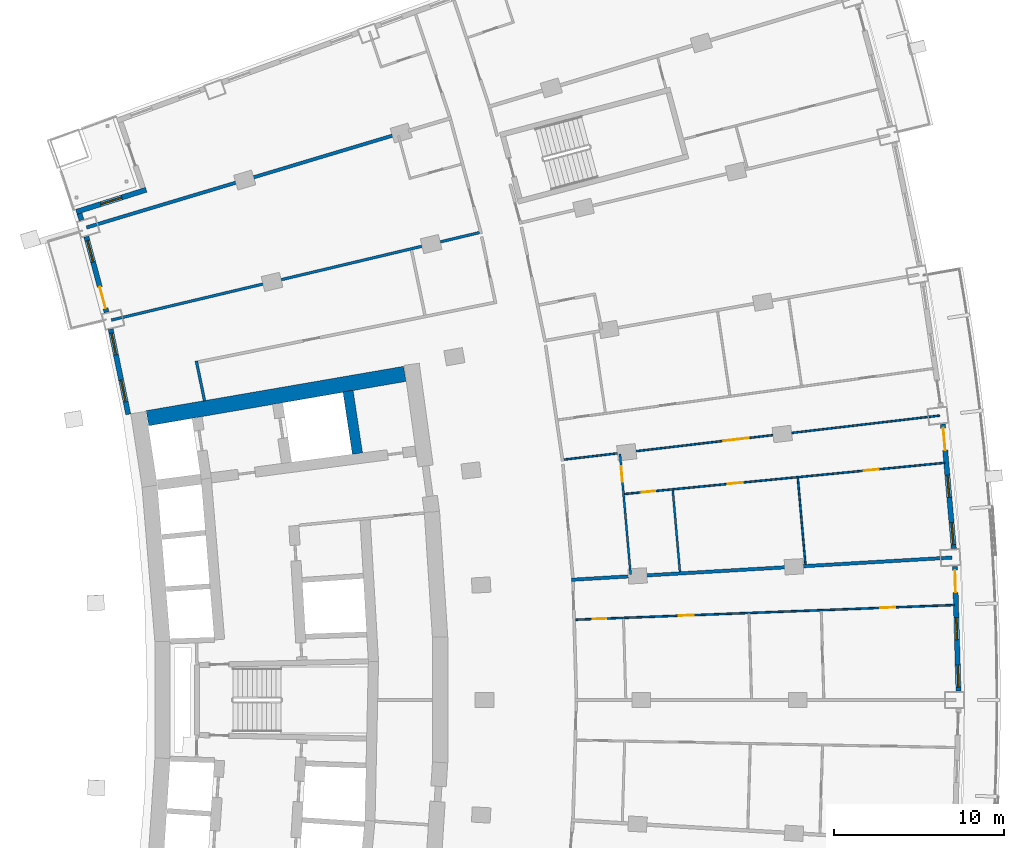
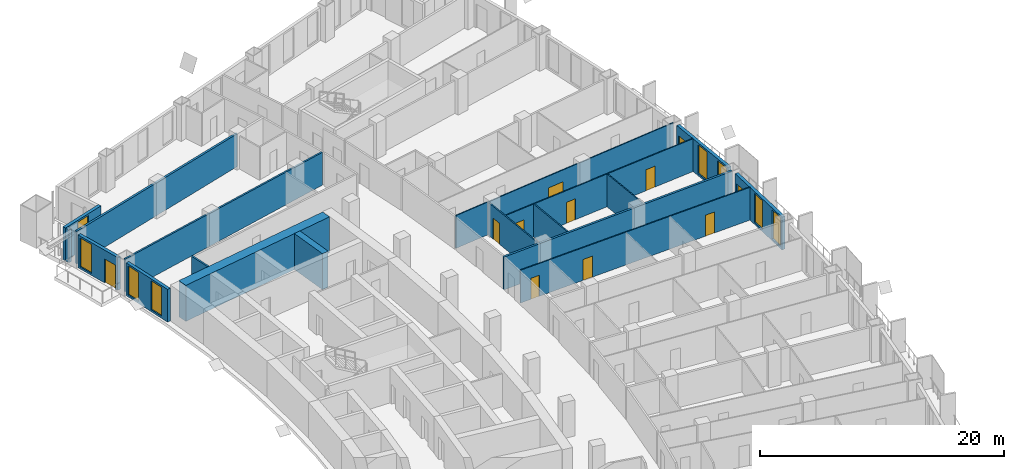
# One storey, part 18 of 24: 18 walls, 11 doors, 8 windows, 19 openings.
"""IFC4 building model written with IfcOpenShell, lengths in metres."""

import ifcopenshell
import ifcopenshell.guid

model = None  # the IFC model being written
_history = None  # IfcOwnerHistory: only IFC2X3 demands one
_inside = {}  # id of a spatial element -> (the spatial element, [elements in it])
_under = {}  # id of a project, library or spatial element -> (it, [spatial elements below it])
_declared = {}  # id of a project -> (the project, [libraries it declares])
_typed = {}  # id of a type object -> (the type object, [elements of that type])
_made_of = {}  # id of a material, layer set ... -> (it, [elements and type objects made of it])


def new_model(schema):
    """Start an empty IFC model of exactly this schema.

    Asked for "IFC4X3", IfcOpenShell would pick the latest addendum, in which some entities
    have other attributes; the version numbers below select the first issue.
    IFC2X3 requires an IfcOwnerHistory on every rooted entity: one is made here for all.
    """
    global model, _history
    if schema == "IFC4X3":
        model = ifcopenshell.file(schema_version=(4, 3, 0, 0))
    else:
        model = ifcopenshell.file(schema=schema)
    _inside.clear()
    _under.clear()
    _declared.clear()
    _typed.clear()
    _made_of.clear()
    _history = None
    if model.schema == "IFC2X3":
        org = make("IfcOrganization", Name="unknown")
        user = make(
            "IfcPersonAndOrganization",
            ThePerson=make("IfcPerson", FamilyName="unknown"),
            TheOrganization=org,
        )
        app = make(
            "IfcApplication",
            ApplicationDeveloper=org,
            Version="unknown",
            ApplicationFullName="unknown",
            ApplicationIdentifier="unknown",
        )
        _history = make(
            "IfcOwnerHistory",
            OwningUser=user,
            OwningApplication=app,
            ChangeAction="ADDED",
            CreationDate=0,
        )
    return model


def make(cls, **values):
    """One entity of the class cls with the attributes given. An attribute that is None is left unset."""
    return model.create_entity(
        cls, **{name: value for name, value in values.items() if value is not None}
    )


def rooted(cls, **values):
    """An entity with a GlobalId (a new one), such as an element, a storey or a relation."""
    return make(cls, GlobalId=ifcopenshell.guid.new(), OwnerHistory=_history, **values)


def si_unit(unit_type, name, prefix=None):
    """IfcSIUnit, for example si_unit("LENGTHUNIT", "METRE", prefix="MILLI")."""
    return make("IfcSIUnit", UnitType=unit_type, Prefix=prefix, Name=name)


def assignment(units):
    """IfcUnitAssignment: the units of a project."""
    return None if units is None else make("IfcUnitAssignment", Units=units)


def point(xyz):
    """IfcCartesianPoint."""
    return None if xyz is None else make("IfcCartesianPoint", Coordinates=xyz)


def direction(xyz):
    """IfcDirection."""
    return None if xyz is None else make("IfcDirection", DirectionRatios=xyz)


def frame(location, z_axis=None, x_axis=None):
    """IfcAxis2Placement3D, a coordinate frame: its origin and axes. An axis left out is left unset."""
    return make(
        "IfcAxis2Placement3D",
        Location=point(location),
        Axis=direction(z_axis),
        RefDirection=direction(x_axis),
    )


def frame_2d(location, x_axis=None):
    """IfcAxis2Placement2D, a coordinate frame in the plane: its origin and x axis."""
    return make(
        "IfcAxis2Placement2D", Location=point(location), RefDirection=direction(x_axis)
    )


def origin():
    """The frame at (0, 0, 0) with its axes left unset."""
    return frame((0.0, 0.0, 0.0))


def place(relative_to, where):
    """IfcLocalPlacement: puts the frame where relative to a parent placement (None: the world)."""
    return make(
        "IfcLocalPlacement", PlacementRelTo=relative_to, RelativePlacement=where
    )


def context(
    kind, dimensions, precision=None, world=None, true_north=None, identifier=None
):
    """IfcGeometricRepresentationContext, for example the 3D "Model" context."""
    return make(
        "IfcGeometricRepresentationContext",
        ContextIdentifier=identifier,
        ContextType=kind,
        CoordinateSpaceDimension=dimensions,
        Precision=precision,
        WorldCoordinateSystem=world,
        TrueNorth=true_north,
    )


def subcontext(parent, identifier, kind, view, scale=None):
    """IfcGeometricRepresentationSubContext, for example "Body" below "Model"."""
    return make(
        "IfcGeometricRepresentationSubContext",
        ContextIdentifier=identifier,
        ContextType=kind,
        ParentContext=parent,
        TargetScale=scale,
        TargetView=view,
    )


def project(units=None, contexts=None):
    """IfcProject with its units and contexts."""
    return rooted(
        "IfcProject",
        Name="project",
        RepresentationContexts=contexts,
        UnitsInContext=assignment(units),
    )


def spatial(cls, under=None, at=None, **own):
    """A site, building, storey or space (cls), placed at a placement, below another one or the project."""
    s = rooted(cls, ObjectPlacement=at, **own)
    if under is not None:
        _under.setdefault(under.id(), (under, []))[1].append(s)
    return s


def profile(cls, at=None, kind="AREA", **sizes):
    """A parametric profile (cls). Its sizes go by their IFC names, for example OverallWidth=200.0."""
    return make(cls, ProfileType=kind, Position=at, **sizes)


def rectangle(**sizes):
    """IfcRectangleProfileDef."""
    return profile("IfcRectangleProfileDef", **sizes)


def extrude(swept, where, along, depth):
    """IfcExtrudedAreaSolid: the profile swept, set in the frame where, extruded along a direction by depth."""
    return make(
        "IfcExtrudedAreaSolid",
        SweptArea=swept,
        Position=where,
        ExtrudedDirection=direction(along),
        Depth=depth,
    )


def shape(context_of_items, identifier, shape_type, items):
    """IfcShapeRepresentation: the items that make up one representation, for example the "Body"."""
    return make(
        "IfcShapeRepresentation",
        ContextOfItems=context_of_items,
        RepresentationIdentifier=identifier,
        RepresentationType=shape_type,
        Items=items,
    )


def material(Name=None, Category=None):
    """IfcMaterial."""
    return make("IfcMaterial", Name=Name, Category=Category)


def layer(
    of_material, thickness, ventilated=None, Name=None, Category=None, Priority=None
):
    """IfcMaterialLayer: one layer of a wall or slab, of a material (None: an air gap)."""
    return make(
        "IfcMaterialLayer",
        Material=of_material,
        LayerThickness=thickness,
        IsVentilated=ventilated,
        Name=Name,
        Category=Category,
        Priority=Priority,
    )


def layer_set(layers, Name=None):
    """IfcMaterialLayerSet."""
    return make("IfcMaterialLayerSet", MaterialLayers=layers, LayerSetName=Name)


def made_of(thing, what):
    """Note that an element or type object is made of a material, layer set ...; save() writes the relation."""
    if what is not None:
        _made_of.setdefault(what.id(), (what, []))[1].append(thing)
    return thing


def type_object(cls, material=None, **own):
    """A type object (cls), such as IfcWallType, which elements share."""
    return made_of(rooted(cls, **own), material)


def element(
    cls,
    number,
    at=None,
    inside=None,
    cuts=None,
    type_object=None,
    material=None,
    context=None,
    identifier="Body",
    shape_type=None,
    held_by="IfcProductDefinitionShape",
    body=None,
    shapes=None,
    **own,
):
    """One element of the class cls, such as IfcWall. Its Tag is "e" and its number.

    at: its placement. inside: the storey or other place that contains it. cuts: it is an
    opening in that element (IfcRelVoidsElement). A single representation is given by context,
    identifier, shape_type and body (its items); several are given by shapes. held_by: the class
    of the entity that holds the representations. save() writes the other relations.
    """
    e = rooted(cls, Tag="e%d" % number, ObjectPlacement=at, **own)
    if body is not None:
        shapes = [shape(context, identifier, shape_type, body)]
    if shapes is not None:
        e.Representation = make(held_by, Representations=shapes)
    if inside is not None:
        _inside.setdefault(inside.id(), (inside, []))[1].append(e)
    if cuts is not None:
        rooted(
            "IfcRelVoidsElement", RelatingBuildingElement=cuts, RelatedOpeningElement=e
        )
    if type_object is not None:
        _typed.setdefault(type_object.id(), (type_object, []))[1].append(e)
    return made_of(e, material)


def fill(opening, filler):
    """IfcRelFillsElement: the door or window that sits in an opening."""
    return rooted(
        "IfcRelFillsElement",
        RelatingOpeningElement=opening,
        RelatedBuildingElement=filler,
    )


def aggregate(whole, parts):
    """IfcRelAggregates: a whole, such as a stair, and the parts it consists of."""
    return rooted("IfcRelAggregates", RelatingObject=whole, RelatedObjects=parts)


def save(model, path):
    """Write the relations noted so far, then the file.

    IfcRelAggregates (storeys below a building ...), IfcRelContainedInSpatialStructure (elements
    in a storey), IfcRelDefinesByType, IfcRelAssociatesMaterial and IfcRelDeclares: one each for
    every whole, place, type object, material and project.
    """
    for whole, parts in _under.values():
        aggregate(whole, parts)
    for where, things in _inside.values():
        rooted(
            "IfcRelContainedInSpatialStructure",
            RelatedElements=things,
            RelatingStructure=where,
        )
    for kind, things in _typed.values():
        rooted("IfcRelDefinesByType", RelatedObjects=things, RelatingType=kind)
    for what, things in _made_of.values():
        rooted("IfcRelAssociatesMaterial", RelatedObjects=things, RelatingMaterial=what)
    for by, libraries in _declared.values():
        rooted("IfcRelDeclares", RelatingContext=by, RelatedDefinitions=libraries)
    model.write(path)


model = new_model("IFC4")

# Units and contexts
model_context = context("Model", 3, precision=1e-05, world=origin(), true_north=direction((0.0, 1.0)))
body_context = subcontext(model_context, "Body", "Model", "MODEL_VIEW")
ifc_project = project(units=[si_unit("LENGTHUNIT", "METRE"), si_unit("AREAUNIT", "SQUARE_METRE"), si_unit("VOLUMEUNIT", "CUBIC_METRE"), si_unit("PLANEANGLEUNIT", "RADIAN"), si_unit("MASSUNIT", "GRAM", prefix="KILO")], contexts=[model_context])

# Site, building, storey
site_placement = place(None, origin())
site = spatial("IfcSite", under=ifc_project, at=site_placement, CompositionType="ELEMENT")
building_placement = place(site_placement, origin())
building = spatial("IfcBuilding", under=site, at=building_placement, Name="Alderwake Tower", CompositionType="ELEMENT")
storey_placement = place(building_placement, frame((0.0, 0.0, 39.199951171875)))
storey = spatial("IfcBuildingStorey", under=building, at=storey_placement, Name="L08", CompositionType="ELEMENT", Elevation=39.199951171875)

# Walls
ifc_material_1 = material(Name="Concrete C70/85", Category="concrete")
ifc_layer_1 = layer(ifc_material_1, 0.89990234375)
ifc_layer_set_1 = layer_set([ifc_layer_1], Name="Core wall outer 900 C70-85")
wall_type_1 = type_object("IfcWallType", Name="Core wall outer 900 C70-85", PredefinedType="SHEAR", material=ifc_layer_set_1)
wall_1_placement = place(storey_placement, frame((16.005615234375, 77.548828125, 0.0), z_axis=(0.0, 0.0, 1.0), x_axis=(0.985465815888, 0.169873852363, 0.0)))
element("IfcWall", 1, at=wall_1_placement, inside=storey, type_object=wall_type_1, Name="Core wall CW.053", PredefinedType="SHEAR", context=body_context, shape_type="SweptSolid", body=[
    extrude(rectangle(XDim=15.33056640625, YDim=0.89990234375, at=frame_2d((7.665283203125, 0.0))), origin(), (0.0, 0.0, 1.0), 3.60009765625),
])
ifc_material_2 = material(Name="Concrete C70/85", Category="concrete")
ifc_layer_2 = layer(ifc_material_2, 0.60009765625)
ifc_layer_set_2 = layer_set([ifc_layer_2], Name="Core wall spine 600 C70-85")
wall_type_2 = type_object("IfcWallType", Name="Core wall spine 600 C70-85", PredefinedType="SHEAR", material=ifc_layer_set_2)
wall_2_placement = place(storey_placement, frame((28.337646484375, 75.472412109375, 0.0), z_axis=(0.0, 0.0, 1.0), x_axis=(-0.149224787751, 0.988803298296, 0.0)))
element("IfcWall", 2, at=wall_2_placement, inside=storey, type_object=wall_type_2, Name="Core wall CW.001", PredefinedType="SHEAR", context=body_context, shape_type="SweptSolid", body=[
    extrude(rectangle(XDim=3.712158203125, YDim=0.60009765625, at=frame_2d((1.85595703125, 0.0))), origin(), (0.0, 0.0, 1.0), 3.60009765625),
])
ifc_material_3 = material(Name="Gypsum board on metal studs, rated")
ifc_layer_3 = layer(ifc_material_3, 0.159912109375)
ifc_layer_set_3 = layer_set([ifc_layer_3], Name="Corridor wall 160")
wall_type_3 = type_object("IfcWallType", Name="Corridor wall 160", PredefinedType="PARTITIONING", material=ifc_layer_set_3)
wall_3_placement = place(storey_placement, frame((18.874755859375, 80.910400390625, 0.0), z_axis=(0.0, 0.0, 1.0), x_axis=(0.202312089075, -0.979321100873, 0.0)))
element("IfcWall", 3, at=wall_3_placement, inside=storey, type_object=wall_type_3, Name="WL/L08/W18", PredefinedType="PARTITIONING", context=body_context, shape_type="SweptSolid", body=[
    extrude(rectangle(XDim=2.39306640625, YDim=0.159912109375, at=frame_2d((1.196533203125, 0.0))), origin(), (0.0, 0.0, 1.0), 3.280029296875),
])
wall_4_placement = place(storey_placement, frame((35.502197265625, 88.451416015625, 0.0), z_axis=(0.0, 0.0, 1.0), x_axis=(-0.972894913244, -0.231247676278, 0.0)))
element("IfcWall", 4, at=wall_4_placement, inside=storey, type_object=wall_type_3, Name="WL/L08/W25", PredefinedType="PARTITIONING", context=body_context, shape_type="SweptSolid", body=[
    extrude(rectangle(XDim=22.220458984375, YDim=0.159912109375, at=frame_2d((11.1103515625, 0.0))), origin(), (0.0, 0.0, 1.0), 3.280029296875),
])

# Wall, openings, door, windows
ifc_material_4 = material(Name="Precast concrete C50/60 spandrel panel", Category="concrete")
ifc_layer_4 = layer(ifc_material_4, 0.300048828125)
ifc_layer_set_4 = layer_set([ifc_layer_4], Name="External wall EW1 Precast concrete C50/60 spandrel")
wall_type_4 = type_object("IfcWallType", Name="External wall EW1 Precast concrete C50/60 spandrel", PredefinedType="SOLIDWALL", material=ifc_layer_set_4)
wall_5_placement = place(storey_placement, frame((63.634765625, 61.5244140625, 0.0), z_axis=(0.0, 0.0, 1.0), x_axis=(-0.029179784763, 0.999574179419, 0.0)))
wall_5 = element("IfcWall", 5, at=wall_5_placement, inside=storey, type_object=wall_type_4, Name="External wall 17", PredefinedType="SOLIDWALL", context=body_context, shape_type="SweptSolid", body=[
    extrude(rectangle(XDim=7.329345703125, YDim=0.300048828125, at=frame_2d((3.66455078125, 0.0))), origin(), (0.0, 0.0, 1.0), 3.280029296875),
])
opening_1_placement = place(wall_5_placement, frame((0.226806640625, 0.0, 0.199951171875)))
opening_1 = element("IfcOpeningElement", 6, at=opening_1_placement, cuts=wall_5, Name="Opening W1", PredefinedType="OPENING", context=body_context, shape_type="SweptSolid", body=[
    extrude(rectangle(XDim=1.300048828125, YDim=2.89990234375, at=frame_2d((0.64990234375, 1.449951171875))), frame((0.0, 0.159912109375, 0.0), z_axis=(0.0, -1.0, 0.0), x_axis=(1.0, 0.0, 0.0)), (0.0, 0.0, 1.0), 0.320068359375),
])
opening_2_placement = place(wall_5_placement, frame((3.0146484375, 0.0, 0.199951171875)))
opening_2 = element("IfcOpeningElement", 7, at=opening_2_placement, cuts=wall_5, Name="Opening W1", PredefinedType="OPENING", context=body_context, shape_type="SweptSolid", body=[
    extrude(rectangle(XDim=1.300048828125, YDim=2.89990234375, at=frame_2d((0.64990234375, 1.449951171875))), frame((0.0, 0.159912109375, 0.0), z_axis=(0.0, -1.0, 0.0), x_axis=(1.0, 0.0, 0.0)), (0.0, 0.0, 1.0), 0.320068359375),
])
opening_3_placement = place(wall_5_placement, frame((5.802490234375, 0.0, 0.0)))
opening_3 = element("IfcOpeningElement", 8, at=opening_3_placement, cuts=wall_5, Name="Opening D08", PredefinedType="OPENING", context=body_context, shape_type="SweptSolid", body=[
    extrude(rectangle(XDim=1.300048828125, YDim=2.39990234375, at=frame_2d((0.64990234375, 1.199951171875))), frame((0.0, 0.159912109375, 0.0), z_axis=(0.0, -1.0, 0.0), x_axis=(1.0, 0.0, 0.0)), (0.0, 0.0, 1.0), 0.320068359375),
])
ifc_material_5 = material(Name="Bronze tinted glass in aluminium frame", Category="aluminium")
door_type_1 = type_object("IfcDoorType", Name="Balcony door BD sliding", OperationType="SLIDING_TO_LEFT", PredefinedType="DOOR", material=ifc_material_5)
door_1_placement = place(opening_3_placement, origin())
door_1 = element("IfcDoor", 9, at=door_1_placement, inside=storey, type_object=door_type_1, Name="Door D08", OperationType="SLIDING_TO_LEFT", OverallHeight=2.39990234375, OverallWidth=1.300048828125, PredefinedType="DOOR", context=body_context, shape_type="SweptSolid", body=[
    extrude(rectangle(XDim=1.300048828125, YDim=2.39990234375, at=frame_2d((0.64990234375, 1.199951171875))), frame((0.0, 0.02490234375, 0.0), z_axis=(0.0, -1.0, 0.0), x_axis=(1.0, 0.0, 0.0)), (0.0, 0.0, 1.0), 0.050048828125),
])
fill(opening_3, door_1)
ifc_material_6 = material(Name="Bronze tinted glass in aluminium frame", Category="aluminium")
window_type = type_object("IfcWindowType", Name="Window W1 tall fixed and vent", PartitioningType="DOUBLE_PANEL_VERTICAL", PredefinedType="WINDOW", material=ifc_material_6)
window_1_placement = place(opening_1_placement, origin())
window_1 = element("IfcWindow", 10, at=window_1_placement, inside=storey, type_object=window_type, Name="Window W1 tall fixed and vent", OverallHeight=2.89990234375, OverallWidth=1.300048828125, PartitioningType="DOUBLE_PANEL_VERTICAL", PredefinedType="WINDOW", context=body_context, shape_type="SweptSolid", body=[
    extrude(rectangle(XDim=1.300048828125, YDim=2.89990234375, at=frame_2d((0.64990234375, 1.449951171875))), frame((0.0, 0.030029296875, 0.0), z_axis=(0.0, -1.0, 0.0), x_axis=(1.0, 0.0, 0.0)), (0.0, 0.0, 1.0), 0.06005859375),
])
fill(opening_1, window_1)
window_2_placement = place(opening_2_placement, origin())
window_2 = element("IfcWindow", 11, at=window_2_placement, inside=storey, type_object=window_type, Name="Window W1 tall fixed and vent", OverallHeight=2.89990234375, OverallWidth=1.300048828125, PartitioningType="DOUBLE_PANEL_VERTICAL", PredefinedType="WINDOW", context=body_context, shape_type="SweptSolid", body=[
    extrude(rectangle(XDim=1.300048828125, YDim=2.89990234375, at=frame_2d((0.64990234375, 1.449951171875))), frame((0.0, 0.030029296875, 0.0), z_axis=(0.0, -1.0, 0.0), x_axis=(1.0, 0.0, 0.0)), (0.0, 0.0, 1.0), 0.06005859375),
])
fill(opening_2, window_2)

wall_6_placement = place(storey_placement, frame((63.35986328125, 69.8974609375, 0.0), z_axis=(0.0, 0.0, 1.0), x_axis=(-0.08740868533, 0.996172536125, 0.0)))
wall_6 = element("IfcWall", 12, at=wall_6_placement, inside=storey, type_object=wall_type_4, Name="External wall 18", PredefinedType="SOLIDWALL", context=body_context, shape_type="SweptSolid", body=[
    extrude(rectangle(XDim=7.3291015625, YDim=0.300048828125, at=frame_2d((3.66455078125, 0.0))), origin(), (0.0, 0.0, 1.0), 3.280029296875),
])
opening_4_placement = place(wall_6_placement, frame((0.226806640625, 0.0, 0.199951171875)))
opening_4 = element("IfcOpeningElement", 13, at=opening_4_placement, cuts=wall_6, Name="Opening W1", PredefinedType="OPENING", context=body_context, shape_type="SweptSolid", body=[
    extrude(rectangle(XDim=1.300048828125, YDim=2.89990234375, at=frame_2d((0.64990234375, 1.449951171875))), frame((0.0, 0.159912109375, 0.0), z_axis=(0.0, -1.0, 0.0), x_axis=(1.0, 0.0, 0.0)), (0.0, 0.0, 1.0), 0.320068359375),
])
opening_5_placement = place(wall_6_placement, frame((3.0146484375, 0.0, 0.199951171875)))
opening_5 = element("IfcOpeningElement", 14, at=opening_5_placement, cuts=wall_6, Name="Opening W1", PredefinedType="OPENING", context=body_context, shape_type="SweptSolid", body=[
    extrude(rectangle(XDim=1.300048828125, YDim=2.89990234375, at=frame_2d((0.64990234375, 1.449951171875))), frame((0.0, 0.159912109375, 0.0), z_axis=(0.0, -1.0, 0.0), x_axis=(1.0, 0.0, 0.0)), (0.0, 0.0, 1.0), 0.320068359375),
])
opening_6_placement = place(wall_6_placement, frame((5.802490234375, 0.0, 0.0)))
opening_6 = element("IfcOpeningElement", 15, at=opening_6_placement, cuts=wall_6, Name="Opening D09", PredefinedType="OPENING", context=body_context, shape_type="SweptSolid", body=[
    extrude(rectangle(XDim=1.300048828125, YDim=2.39990234375, at=frame_2d((0.64990234375, 1.199951171875))), frame((0.0, 0.159912109375, 0.0), z_axis=(0.0, -1.0, 0.0), x_axis=(1.0, 0.0, 0.0)), (0.0, 0.0, 1.0), 0.320068359375),
])
door_2_placement = place(opening_6_placement, origin())
door_2 = element("IfcDoor", 16, at=door_2_placement, inside=storey, type_object=door_type_1, Name="Door D09", OperationType="SLIDING_TO_LEFT", OverallHeight=2.39990234375, OverallWidth=1.300048828125, PredefinedType="DOOR", context=body_context, shape_type="SweptSolid", body=[
    extrude(rectangle(XDim=1.300048828125, YDim=2.39990234375, at=frame_2d((0.64990234375, 1.199951171875))), frame((0.0, 0.02490234375, 0.0), z_axis=(0.0, -1.0, 0.0), x_axis=(1.0, 0.0, 0.0)), (0.0, 0.0, 1.0), 0.050048828125),
])
fill(opening_6, door_2)
window_3_placement = place(opening_4_placement, origin())
window_3 = element("IfcWindow", 17, at=window_3_placement, inside=storey, type_object=window_type, Name="Window W1 tall fixed and vent", OverallHeight=2.89990234375, OverallWidth=1.300048828125, PartitioningType="DOUBLE_PANEL_VERTICAL", PredefinedType="WINDOW", context=body_context, shape_type="SweptSolid", body=[
    extrude(rectangle(XDim=1.300048828125, YDim=2.89990234375, at=frame_2d((0.64990234375, 1.449951171875))), frame((0.0, 0.030029296875, 0.0), z_axis=(0.0, -1.0, 0.0), x_axis=(1.0, 0.0, 0.0)), (0.0, 0.0, 1.0), 0.06005859375),
])
fill(opening_4, window_3)
window_4_placement = place(opening_5_placement, origin())
window_4 = element("IfcWindow", 18, at=window_4_placement, inside=storey, type_object=window_type, Name="Window W1 tall fixed and vent", OverallHeight=2.89990234375, OverallWidth=1.300048828125, PartitioningType="DOUBLE_PANEL_VERTICAL", PredefinedType="WINDOW", context=body_context, shape_type="SweptSolid", body=[
    extrude(rectangle(XDim=1.300048828125, YDim=2.89990234375, at=frame_2d((0.64990234375, 1.449951171875))), frame((0.0, 0.030029296875, 0.0), z_axis=(0.0, -1.0, 0.0), x_axis=(1.0, 0.0, 0.0)), (0.0, 0.0, 1.0), 0.06005859375),
])
fill(opening_5, window_4)

# Wall
wall_7_placement = place(storey_placement, frame((12.01416015625, 89.5703125, 0.0), z_axis=(0.0, 0.0, 1.0), x_axis=(0.29468230117, -0.955595281161, 0.0)))
element("IfcWall", 19, at=wall_7_placement, inside=storey, type_object=wall_type_4, Name="External wall 32", PredefinedType="SOLIDWALL", context=body_context, shape_type="SweptSolid", body=[
    extrude(rectangle(XDim=0.402587890625, YDim=0.300048828125, at=frame_2d((0.201171875, 0.0))), origin(), (0.0, 0.0, 1.0), 3.280029296875),
])

# Wall, openings, door, window
wall_8_placement = place(storey_placement, frame((12.4130859375, 88.212890625, 0.0), z_axis=(0.0, 0.0, 1.0), x_axis=(0.259495671332, -0.965744270788, 0.0)))
wall_8 = element("IfcWall", 20, at=wall_8_placement, inside=storey, type_object=wall_type_4, Name="External wall 33", PredefinedType="SOLIDWALL", context=body_context, shape_type="SweptSolid", body=[
    extrude(rectangle(XDim=4.599609375, YDim=0.300048828125, at=frame_2d((2.2998046875, 0.0))), origin(), (0.0, 0.0, 1.0), 3.280029296875),
])
opening_7_placement = place(wall_8_placement, frame((0.2412109375, 0.0, 0.199951171875)))
opening_7 = element("IfcOpeningElement", 21, at=opening_7_placement, cuts=wall_8, Name="Opening W1", PredefinedType="OPENING", context=body_context, shape_type="SweptSolid", body=[
    extrude(rectangle(XDim=1.300048828125, YDim=2.89990234375, at=frame_2d((0.64990234375, 1.449951171875))), frame((0.0, 0.159912109375, 0.0), z_axis=(0.0, -1.0, 0.0), x_axis=(1.0, 0.0, 0.0)), (0.0, 0.0, 1.0), 0.320068359375),
])
opening_8_placement = place(wall_8_placement, frame((3.058349609375, 0.0, 0.0)))
opening_8 = element("IfcOpeningElement", 22, at=opening_8_placement, cuts=wall_8, Name="Opening D14", PredefinedType="OPENING", context=body_context, shape_type="SweptSolid", body=[
    extrude(rectangle(XDim=1.300048828125, YDim=2.39990234375, at=frame_2d((0.64990234375, 1.199951171875))), frame((0.0, 0.159912109375, 0.0), z_axis=(0.0, -1.0, 0.0), x_axis=(1.0, 0.0, 0.0)), (0.0, 0.0, 1.0), 0.320068359375),
])
door_3_placement = place(opening_8_placement, origin())
door_3 = element("IfcDoor", 23, at=door_3_placement, inside=storey, type_object=door_type_1, Name="Door D14", OperationType="SLIDING_TO_LEFT", OverallHeight=2.39990234375, OverallWidth=1.300048828125, PredefinedType="DOOR", context=body_context, shape_type="SweptSolid", body=[
    extrude(rectangle(XDim=1.300048828125, YDim=2.39990234375, at=frame_2d((0.64990234375, 1.199951171875))), frame((0.0, 0.02490234375, 0.0), z_axis=(0.0, -1.0, 0.0), x_axis=(1.0, 0.0, 0.0)), (0.0, 0.0, 1.0), 0.050048828125),
])
fill(opening_8, door_3)
window_5_placement = place(opening_7_placement, origin())
window_5 = element("IfcWindow", 24, at=window_5_placement, inside=storey, type_object=window_type, Name="Window W1 tall fixed and vent", OverallHeight=2.89990234375, OverallWidth=1.300048828125, PartitioningType="DOUBLE_PANEL_VERTICAL", PredefinedType="WINDOW", context=body_context, shape_type="SweptSolid", body=[
    extrude(rectangle(XDim=1.300048828125, YDim=2.89990234375, at=frame_2d((0.64990234375, 1.449951171875))), frame((0.0, 0.030029296875, 0.0), z_axis=(0.0, -1.0, 0.0), x_axis=(1.0, 0.0, 0.0)), (0.0, 0.0, 1.0), 0.06005859375),
])
fill(opening_7, window_5)

# Wall, openings, windows
wall_9_placement = place(storey_placement, frame((13.842529296875, 82.77880859375, 0.0), z_axis=(0.0, 0.0, 1.0), x_axis=(0.202738354746, -0.979232944459, 0.0)))
wall_9 = element("IfcWall", 25, at=wall_9_placement, inside=storey, type_object=wall_type_4, Name="External wall 34", PredefinedType="SOLIDWALL", context=body_context, shape_type="SweptSolid", body=[
    extrude(rectangle(XDim=5.1083984375, YDim=0.300048828125, at=frame_2d((2.55419921875, 0.0))), origin(), (0.0, 0.0, 1.0), 3.280029296875),
])
opening_9_placement = place(wall_9_placement, frame((0.239013671875, 0.0, 0.199951171875)))
opening_9 = element("IfcOpeningElement", 26, at=opening_9_placement, cuts=wall_9, Name="Opening W1", PredefinedType="OPENING", context=body_context, shape_type="SweptSolid", body=[
    extrude(rectangle(XDim=1.300048828125, YDim=2.89990234375, at=frame_2d((0.64990234375, 1.449951171875))), frame((0.0, 0.159912109375, 0.0), z_axis=(0.0, -1.0, 0.0), x_axis=(1.0, 0.0, 0.0)), (0.0, 0.0, 1.0), 0.320068359375),
])
opening_10_placement = place(wall_9_placement, frame((3.0517578125, 0.0, 0.199951171875)))
opening_10 = element("IfcOpeningElement", 27, at=opening_10_placement, cuts=wall_9, Name="Opening W1", PredefinedType="OPENING", context=body_context, shape_type="SweptSolid", body=[
    extrude(rectangle(XDim=1.300048828125, YDim=2.89990234375, at=frame_2d((0.64990234375, 1.449951171875))), frame((0.0, 0.159912109375, 0.0), z_axis=(0.0, -1.0, 0.0), x_axis=(1.0, 0.0, 0.0)), (0.0, 0.0, 1.0), 0.320068359375),
])
window_6_placement = place(opening_9_placement, origin())
window_6 = element("IfcWindow", 28, at=window_6_placement, inside=storey, type_object=window_type, Name="Window W1 tall fixed and vent", OverallHeight=2.89990234375, OverallWidth=1.300048828125, PartitioningType="DOUBLE_PANEL_VERTICAL", PredefinedType="WINDOW", context=body_context, shape_type="SweptSolid", body=[
    extrude(rectangle(XDim=1.300048828125, YDim=2.89990234375, at=frame_2d((0.64990234375, 1.449951171875))), frame((0.0, 0.030029296875, 0.0), z_axis=(0.0, -1.0, 0.0), x_axis=(1.0, 0.0, 0.0)), (0.0, 0.0, 1.0), 0.06005859375),
])
fill(opening_9, window_6)
window_7_placement = place(opening_10_placement, origin())
window_7 = element("IfcWindow", 29, at=window_7_placement, inside=storey, type_object=window_type, Name="Window W1 tall fixed and vent", OverallHeight=2.89990234375, OverallWidth=1.300048828125, PartitioningType="DOUBLE_PANEL_VERTICAL", PredefinedType="WINDOW", context=body_context, shape_type="SweptSolid", body=[
    extrude(rectangle(XDim=1.300048828125, YDim=2.89990234375, at=frame_2d((0.64990234375, 1.449951171875))), frame((0.0, 0.030029296875, 0.0), z_axis=(0.0, -1.0, 0.0), x_axis=(1.0, 0.0, 0.0)), (0.0, 0.0, 1.0), 0.06005859375),
])
fill(opening_10, window_7)

# Wall, opening, window
ifc_material_7 = material(Name="Bronze metal cladding on lightweight framing")
ifc_layer_5 = layer(ifc_material_7, 0.300048828125)
ifc_layer_set_5 = layer_set([ifc_layer_5], Name="External wall EW2 bronze metal cladding")
wall_type_5 = type_object("IfcWallType", Name="External wall EW2 bronze metal cladding", PredefinedType="SOLIDWALL", material=ifc_layer_set_5)
wall_10_placement = place(storey_placement, frame((15.932373046875, 90.966552734375, 0.0), z_axis=(0.0, 0.0, 1.0), x_axis=(-0.953473772386, -0.301475978103, 0.0)))
wall_10 = element("IfcWall", 30, at=wall_10_placement, inside=storey, type_object=wall_type_5, Name="External wall 31", PredefinedType="SOLIDWALL", context=body_context, shape_type="SweptSolid", body=[
    extrude(rectangle(XDim=4.305908203125, YDim=0.300048828125, at=frame_2d((2.15283203125, 0.0))), origin(), (0.0, 0.0, 1.0), 3.280029296875),
])
opening_11_placement = place(wall_10_placement, frame((1.5029296875, 0.0, 0.199951171875)))
opening_11 = element("IfcOpeningElement", 31, at=opening_11_placement, cuts=wall_10, Name="Opening W1", PredefinedType="OPENING", context=body_context, shape_type="SweptSolid", body=[
    extrude(rectangle(XDim=1.300048828125, YDim=2.89990234375, at=frame_2d((0.64990234375, 1.449951171875))), frame((0.0, 0.159912109375, 0.0), z_axis=(0.0, -1.0, 0.0), x_axis=(1.0, 0.0, 0.0)), (0.0, 0.0, 1.0), 0.320068359375),
])
window_8_placement = place(opening_11_placement, origin())
window_8 = element("IfcWindow", 32, at=window_8_placement, inside=storey, type_object=window_type, Name="Window W1 tall fixed and vent", OverallHeight=2.89990234375, OverallWidth=1.300048828125, PartitioningType="DOUBLE_PANEL_VERTICAL", PredefinedType="WINDOW", context=body_context, shape_type="SweptSolid", body=[
    extrude(rectangle(XDim=1.300048828125, YDim=2.89990234375, at=frame_2d((0.64990234375, 1.449951171875))), frame((0.0, 0.030029296875, 0.0), z_axis=(0.0, -1.0, 0.0), x_axis=(1.0, 0.0, 0.0)), (0.0, 0.0, 1.0), 0.06005859375),
])
fill(opening_11, window_8)

# Walls
ifc_material_8 = material(Name="Dense block masonry wall", Category="masonry")
ifc_layer_6 = layer(ifc_material_8, 0.199951171875)
ifc_layer_set_6 = layer_set([ifc_layer_6], Name="Party wall 200")
wall_type_6 = type_object("IfcWallType", Name="Party wall 200", PredefinedType="SOLIDWALL", material=ifc_layer_set_6)
wall_11_placement = place(storey_placement, frame((30.812744140625, 94.270751953125, 0.0), z_axis=(0.0, 0.0, 1.0), x_axis=(-0.957756965565, -0.287578849904, 0.0)))
element("IfcWall", 33, at=wall_11_placement, inside=storey, type_object=wall_type_6, Name="WL/L08/W01", PredefinedType="SOLIDWALL", context=body_context, shape_type="SweptSolid", body=[
    extrude(rectangle(XDim=19.20068359375, YDim=0.199951171875, at=frame_2d((9.600341796875, 0.0))), origin(), (0.0, 0.0, 1.0), 3.280029296875),
])
wall_12_placement = place(storey_placement, frame((63.2548828125, 69.365966796875, 0.0), z_axis=(0.0, 0.0, 1.0), x_axis=(-0.998301502975, -0.058258983497, 0.0)))
element("IfcWall", 34, at=wall_12_placement, inside=storey, type_object=wall_type_6, Name="WL/L08/W10", PredefinedType="SOLIDWALL", context=body_context, shape_type="SweptSolid", body=[
    extrude(rectangle(XDim=22.3779296875, YDim=0.199951171875, at=frame_2d((11.18896484375, 0.0))), origin(), (0.0, 0.0, 1.0), 3.280029296875),
])

# Wall, opening, door
ifc_material_9 = material(Name="Gypsum board on metal studs")
ifc_layer_7 = layer(ifc_material_9, 0.10009765625)
ifc_layer_set_7 = layer_set([ifc_layer_7], Name="Unit partition 100")
wall_type_7 = type_object("IfcWallType", Name="Unit partition 100", PredefinedType="PARTITIONING", material=ifc_layer_set_7)
wall_13_placement = place(storey_placement, frame((40.45654296875, 75.1171875, 0.0), z_axis=(0.0, 0.0, 1.0), x_axis=(0.993204578948, 0.116381546464, 0.0)))
wall_13 = element("IfcWall", 35, at=wall_13_placement, inside=storey, type_object=wall_type_7, Name="WL/L08/W69", PredefinedType="PARTITIONING", context=body_context, shape_type="SweptSolid", body=[
    extrude(rectangle(XDim=22.21728515625, YDim=0.10009765625, at=frame_2d((11.108642578125, 0.0))), origin(), (0.0, 0.0, 1.0), 3.280029296875),
])
opening_12_placement = place(wall_13_placement, frame((9.4443359375, 0.0, 0.0)))
opening_12 = element("IfcOpeningElement", 36, at=opening_12_placement, cuts=wall_13, Name="Opening R01-U09.10", PredefinedType="OPENING", context=body_context, shape_type="SweptSolid", body=[
    extrude(rectangle(XDim=1.5, YDim=2.10009765625, at=frame_2d((0.75, 1.050048828125))), frame((0.0, 0.06005859375, 0.0), z_axis=(0.0, -1.0, 0.0), x_axis=(1.0, 0.0, 0.0)), (0.0, 0.0, 1.0), 0.1201171875),
])
ifc_material_10 = material(Name="Painted timber leaves", Category="wood")
door_type_2 = type_object("IfcDoorType", Name="Double leaf door 1500", OperationType="DOUBLE_DOOR_SINGLE_SWING", PredefinedType="DOOR", material=ifc_material_10)
door_4_placement = place(opening_12_placement, origin())
door_4 = element("IfcDoor", 37, at=door_4_placement, inside=storey, type_object=door_type_2, Name="DR/L08/U09.10", OperationType="DOUBLE_DOOR_SINGLE_SWING", OverallHeight=2.10009765625, OverallWidth=1.5, PredefinedType="DOOR", context=body_context, shape_type="SweptSolid", body=[
    extrude(rectangle(XDim=1.5, YDim=2.10009765625, at=frame_2d((0.75, 1.050048828125))), frame((0.0, 0.02490234375, 0.0), z_axis=(0.0, -1.0, 0.0), x_axis=(1.0, 0.0, 0.0)), (0.0, 0.0, 1.0), 0.050048828125),
])
fill(opening_12, door_4)

# Wall, openings, doors
wall_14_placement = place(storey_placement, frame((63.386962890625, 66.5791015625, 0.0), z_axis=(0.0, 0.0, 1.0), x_axis=(-0.999246424142, -0.0388147374, 0.0)))
wall_14 = element("IfcWall", 38, at=wall_14_placement, inside=storey, type_object=wall_type_7, Name="WL/L08/W71", PredefinedType="PARTITIONING", context=body_context, shape_type="SweptSolid", body=[
    extrude(rectangle(XDim=22.260009765625, YDim=0.10009765625, at=frame_2d((11.1298828125, 0.0))), origin(), (0.0, 0.0, 1.0), 3.280029296875),
])
opening_13_placement = place(wall_14_placement, frame((15.30224609375, 0.0, 0.0)))
opening_13 = element("IfcOpeningElement", 39, at=opening_13_placement, cuts=wall_14, Name="Opening R01-U08.1", PredefinedType="OPENING", context=body_context, shape_type="SweptSolid", body=[
    extrude(rectangle(XDim=0.89990234375, YDim=2.10009765625, at=frame_2d((0.449951171875, 1.050048828125))), frame((0.0, 0.06005859375, 0.0), z_axis=(0.0, -1.0, 0.0), x_axis=(1.0, 0.0, 0.0)), (0.0, 0.0, 1.0), 0.1201171875),
])
opening_14_placement = place(wall_14_placement, frame((20.451171875, 0.0, 0.0)))
opening_14 = element("IfcOpeningElement", 40, at=opening_14_placement, cuts=wall_14, Name="Opening R01-U08.4", PredefinedType="OPENING", context=body_context, shape_type="SweptSolid", body=[
    extrude(rectangle(XDim=0.800048828125, YDim=2.10009765625, at=frame_2d((0.39990234375, 1.050048828125))), frame((0.0, 0.06005859375, 0.0), z_axis=(0.0, -1.0, 0.0), x_axis=(1.0, 0.0, 0.0)), (0.0, 0.0, 1.0), 0.1201171875),
])
opening_15_placement = place(wall_14_placement, frame((3.459228515625, 0.0, 0.0)))
opening_15 = element("IfcOpeningElement", 41, at=opening_15_placement, cuts=wall_14, Name="Opening R01-U08.5", PredefinedType="OPENING", context=body_context, shape_type="SweptSolid", body=[
    extrude(rectangle(XDim=0.89990234375, YDim=2.10009765625, at=frame_2d((0.449951171875, 1.050048828125))), frame((0.0, 0.06005859375, 0.0), z_axis=(0.0, -1.0, 0.0), x_axis=(1.0, 0.0, 0.0)), (0.0, 0.0, 1.0), 0.1201171875),
])
ifc_material_11 = material(Name="Painted timber leaf", Category="wood")
door_type_3 = type_object("IfcDoorType", Name="Bathroom door 800", OperationType="SINGLE_SWING_LEFT", PredefinedType="DOOR", material=ifc_material_11)
door_5_placement = place(opening_14_placement, origin())
door_5 = element("IfcDoor", 42, at=door_5_placement, inside=storey, type_object=door_type_3, Name="DR/L08/U08.4", OperationType="SINGLE_SWING_LEFT", OverallHeight=2.10009765625, OverallWidth=0.800048828125, PredefinedType="DOOR", context=body_context, shape_type="SweptSolid", body=[
    extrude(rectangle(XDim=0.800048828125, YDim=2.10009765625, at=frame_2d((0.39990234375, 1.050048828125))), frame((0.0, 0.02490234375, 0.0), z_axis=(0.0, -1.0, 0.0), x_axis=(1.0, 0.0, 0.0)), (0.0, 0.0, 1.0), 0.050048828125),
])
fill(opening_14, door_5)
ifc_material_12 = material(Name="Painted timber leaf", Category="wood")
door_type_4 = type_object("IfcDoorType", Name="Room door 900", OperationType="SINGLE_SWING_LEFT", PredefinedType="DOOR", material=ifc_material_12)
door_6_placement = place(opening_13_placement, origin())
door_6 = element("IfcDoor", 43, at=door_6_placement, inside=storey, type_object=door_type_4, Name="DR/L08/U08.1", OperationType="SINGLE_SWING_LEFT", OverallHeight=2.10009765625, OverallWidth=0.89990234375, PredefinedType="DOOR", context=body_context, shape_type="SweptSolid", body=[
    extrude(rectangle(XDim=0.89990234375, YDim=2.10009765625, at=frame_2d((0.449951171875, 1.050048828125))), frame((0.0, 0.02490234375, 0.0), z_axis=(0.0, -1.0, 0.0), x_axis=(1.0, 0.0, 0.0)), (0.0, 0.0, 1.0), 0.050048828125),
])
fill(opening_13, door_6)
door_7_placement = place(opening_15_placement, origin())
door_7 = element("IfcDoor", 44, at=door_7_placement, inside=storey, type_object=door_type_4, Name="DR/L08/U08.5", OperationType="SINGLE_SWING_LEFT", OverallHeight=2.10009765625, OverallWidth=0.89990234375, PredefinedType="DOOR", context=body_context, shape_type="SweptSolid", body=[
    extrude(rectangle(XDim=0.89990234375, YDim=2.10009765625, at=frame_2d((0.449951171875, 1.050048828125))), frame((0.0, 0.02490234375, 0.0), z_axis=(0.0, -1.0, 0.0), x_axis=(1.0, 0.0, 0.0)), (0.0, 0.0, 1.0), 0.050048828125),
])
fill(opening_15, door_7)

wall_15_placement = place(storey_placement, frame((62.820068359375, 74.927978515625, 0.0), z_axis=(0.0, 0.0, 1.0), x_axis=(-0.995293143485, -0.096910053822, 0.0)))
wall_15 = element("IfcWall", 45, at=wall_15_placement, inside=storey, type_object=wall_type_7, Name="WL/L08/W73", PredefinedType="PARTITIONING", context=body_context, shape_type="SweptSolid", body=[
    extrude(rectangle(XDim=18.88427734375, YDim=0.10009765625, at=frame_2d((9.442138671875, 0.0))), origin(), (0.0, 0.0, 1.0), 3.280029296875),
])
opening_16_placement = place(wall_15_placement, frame((11.905517578125, 0.0, 0.0)))
opening_16 = element("IfcOpeningElement", 46, at=opening_16_placement, cuts=wall_15, Name="Opening R01-U09.1", PredefinedType="OPENING", context=body_context, shape_type="SweptSolid", body=[
    extrude(rectangle(XDim=0.89990234375, YDim=2.10009765625, at=frame_2d((0.449951171875, 1.050048828125))), frame((0.0, 0.06005859375, 0.0), z_axis=(0.0, -1.0, 0.0), x_axis=(1.0, 0.0, 0.0)), (0.0, 0.0, 1.0), 0.1201171875),
])
opening_17_placement = place(wall_15_placement, frame((17.06494140625, 0.0, 0.0)))
opening_17 = element("IfcOpeningElement", 47, at=opening_17_placement, cuts=wall_15, Name="Opening R01-U09.4", PredefinedType="OPENING", context=body_context, shape_type="SweptSolid", body=[
    extrude(rectangle(XDim=0.800048828125, YDim=2.10009765625, at=frame_2d((0.39990234375, 1.050048828125))), frame((0.0, 0.06005859375, 0.0), z_axis=(0.0, -1.0, 0.0), x_axis=(1.0, 0.0, 0.0)), (0.0, 0.0, 1.0), 0.1201171875),
])
opening_18_placement = place(wall_15_placement, frame((3.88330078125, 0.0, 0.0)))
opening_18 = element("IfcOpeningElement", 48, at=opening_18_placement, cuts=wall_15, Name="Opening R01-U09.5", PredefinedType="OPENING", context=body_context, shape_type="SweptSolid", body=[
    extrude(rectangle(XDim=0.89990234375, YDim=2.10009765625, at=frame_2d((0.449951171875, 1.050048828125))), frame((0.0, 0.06005859375, 0.0), z_axis=(0.0, -1.0, 0.0), x_axis=(1.0, 0.0, 0.0)), (0.0, 0.0, 1.0), 0.1201171875),
])
door_8_placement = place(opening_17_placement, origin())
door_8 = element("IfcDoor", 49, at=door_8_placement, inside=storey, type_object=door_type_3, Name="DR/L08/U09.4", OperationType="SINGLE_SWING_LEFT", OverallHeight=2.10009765625, OverallWidth=0.800048828125, PredefinedType="DOOR", context=body_context, shape_type="SweptSolid", body=[
    extrude(rectangle(XDim=0.800048828125, YDim=2.10009765625, at=frame_2d((0.39990234375, 1.050048828125))), frame((0.0, 0.02490234375, 0.0), z_axis=(0.0, -1.0, 0.0), x_axis=(1.0, 0.0, 0.0)), (0.0, 0.0, 1.0), 0.050048828125),
])
fill(opening_17, door_8)
door_9_placement = place(opening_16_placement, origin())
door_9 = element("IfcDoor", 50, at=door_9_placement, inside=storey, type_object=door_type_4, Name="DR/L08/U09.1", OperationType="SINGLE_SWING_LEFT", OverallHeight=2.10009765625, OverallWidth=0.89990234375, PredefinedType="DOOR", context=body_context, shape_type="SweptSolid", body=[
    extrude(rectangle(XDim=0.89990234375, YDim=2.10009765625, at=frame_2d((0.449951171875, 1.050048828125))), frame((0.0, 0.02490234375, 0.0), z_axis=(0.0, -1.0, 0.0), x_axis=(1.0, 0.0, 0.0)), (0.0, 0.0, 1.0), 0.050048828125),
])
fill(opening_16, door_9)
door_10_placement = place(opening_18_placement, origin())
door_10 = element("IfcDoor", 51, at=door_10_placement, inside=storey, type_object=door_type_4, Name="DR/L08/U09.5", OperationType="SINGLE_SWING_LEFT", OverallHeight=2.10009765625, OverallWidth=0.89990234375, PredefinedType="DOOR", context=body_context, shape_type="SweptSolid", body=[
    extrude(rectangle(XDim=0.89990234375, YDim=2.10009765625, at=frame_2d((0.449951171875, 1.050048828125))), frame((0.0, 0.02490234375, 0.0), z_axis=(0.0, -1.0, 0.0), x_axis=(1.0, 0.0, 0.0)), (0.0, 0.0, 1.0), 0.050048828125),
])
fill(opening_18, door_10)

# Wall
wall_16_placement = place(storey_placement, frame((54.645263671875, 68.964599609375, 0.0), z_axis=(0.0, 0.0, 1.0), x_axis=(-0.087531464567, 0.996161755294, 0.0)))
element("IfcWall", 52, at=wall_16_placement, inside=storey, type_object=wall_type_7, Name="WL/L08/W87", PredefinedType="PARTITIONING", context=body_context, shape_type="SweptSolid", body=[
    extrude(rectangle(XDim=5.093017578125, YDim=0.10009765625, at=frame_2d((2.54638671875, 0.0))), origin(), (0.0, 0.0, 1.0), 3.280029296875),
])

# Wall, opening, door
ifc_material_13 = material(Name="Moisture resistant gypsum board on metal studs")
ifc_layer_8 = layer(ifc_material_13, 0.1201171875)
ifc_layer_set_8 = layer_set([ifc_layer_8], Name="Wet room partition 120")
wall_type_8 = type_object("IfcWallType", Name="Wet room partition 120", PredefinedType="PARTITIONING", material=ifc_layer_set_8)
wall_17_placement = place(storey_placement, frame((43.75634765625, 75.4541015625, 0.0), z_axis=(0.0, 0.0, 1.0), x_axis=(0.087513351383, -0.996163346711, 0.0)))
wall_17 = element("IfcWall", 53, at=wall_17_placement, inside=storey, type_object=wall_type_8, Name="WL/L08/W60", PredefinedType="PARTITIONING", context=body_context, shape_type="SweptSolid", body=[
    extrude(rectangle(XDim=7.11669921875, YDim=0.1201171875, at=frame_2d((3.558349609375, 0.0))), origin(), (0.0, 0.0, 1.0), 3.280029296875),
])
opening_19_placement = place(wall_17_placement, frame((0.736328125, 0.0, 0.0)))
opening_19 = element("IfcOpeningElement", 54, at=opening_19_placement, cuts=wall_17, Name="Opening R01-U09.3", PredefinedType="OPENING", context=body_context, shape_type="SweptSolid", body=[
    extrude(rectangle(XDim=0.89990234375, YDim=2.10009765625, at=frame_2d((0.449951171875, 1.050048828125))), frame((0.0, 0.070068359375, 0.0), z_axis=(0.0, -1.0, 0.0), x_axis=(1.0, 0.0, 0.0)), (0.0, 0.0, 1.0), 0.14013671875),
])
door_11_placement = place(opening_19_placement, origin())
door_11 = element("IfcDoor", 55, at=door_11_placement, inside=storey, type_object=door_type_4, Name="DR/L08/U09.3", OperationType="SINGLE_SWING_LEFT", OverallHeight=2.10009765625, OverallWidth=0.89990234375, PredefinedType="DOOR", context=body_context, shape_type="SweptSolid", body=[
    extrude(rectangle(XDim=0.89990234375, YDim=2.10009765625, at=frame_2d((0.449951171875, 1.050048828125))), frame((0.0, 0.02490234375, 0.0), z_axis=(0.0, -1.0, 0.0), x_axis=(1.0, 0.0, 0.0)), (0.0, 0.0, 1.0), 0.050048828125),
])
fill(opening_19, door_11)

# Wall
wall_18_placement = place(storey_placement, frame((47.2744140625, 68.53271484375, 0.0), z_axis=(0.0, 0.0, 1.0), x_axis=(-0.087155609358, 0.996194709762, 0.0)))
element("IfcWall", 56, at=wall_18_placement, inside=storey, type_object=wall_type_8, Name="WL/L08/W65", PredefinedType="PARTITIONING", context=body_context, shape_type="SweptSolid", body=[
    extrude(rectangle(XDim=4.806884765625, YDim=0.1201171875, at=frame_2d((2.4033203125, 0.0))), origin(), (0.0, 0.0, 1.0), 3.280029296875),
])

save(model, "model.ifc")
